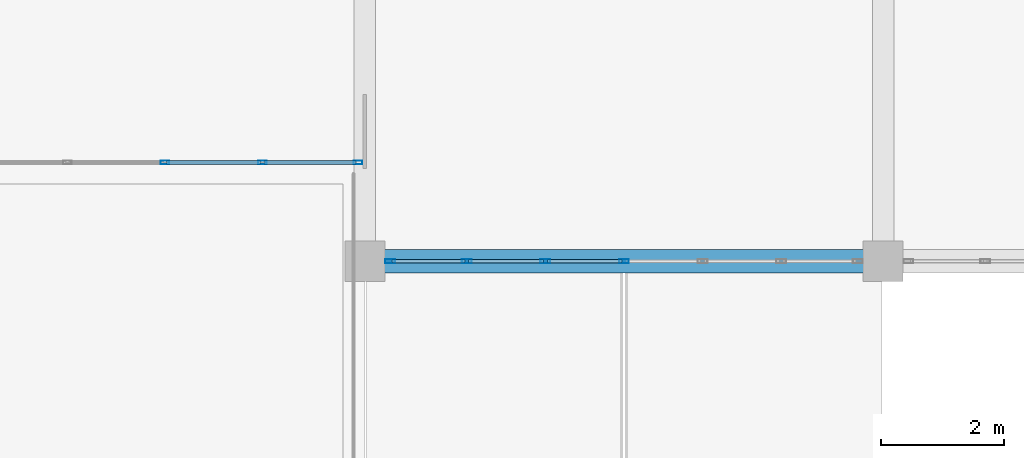
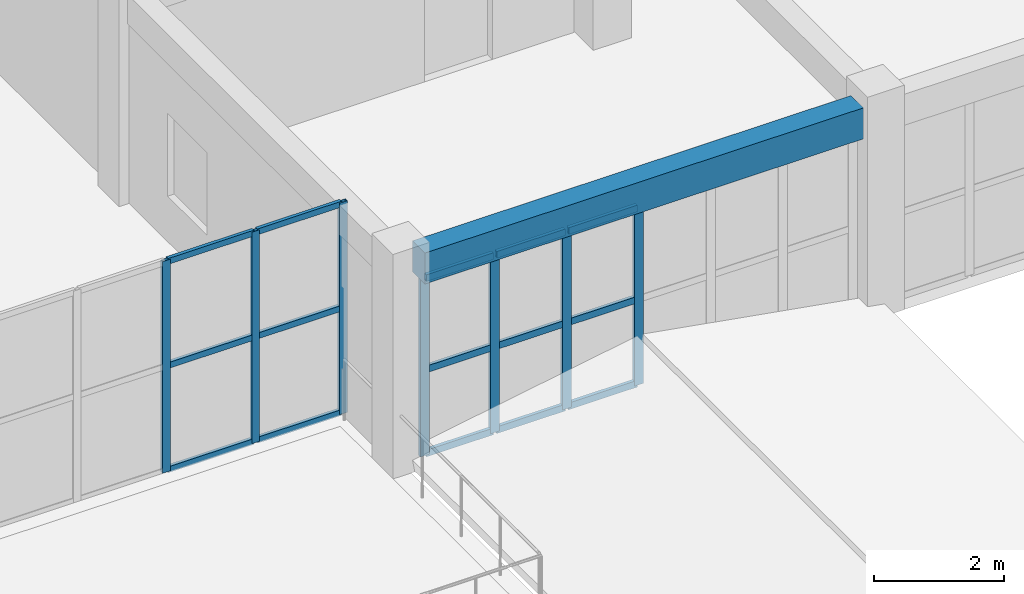
# One storey, part 15 of 90: 22 members, 1 beam, 2 elements without a shape of their own.
"""IFC4 building model written with IfcOpenShell, lengths in metres."""

from ifc_helpers import new_model, si_unit, direction, frame, origin, origin_2d, place, context, subcontext, project, spatial, rectangle, hollow_rectangle, extrude, material, layer, layer_set, material_profile, profile_set, type_object, element, aggregate, save


model = new_model("IFC4")

# Units and contexts
model_context = context("Model", 3, precision=1e-05, world=origin(), true_north=direction((0.0, 1.0)))
body_context = subcontext(model_context, "Body", "Model", "MODEL_VIEW")
ifc_project = project(units=[si_unit("LENGTHUNIT", "METRE"), si_unit("AREAUNIT", "SQUARE_METRE"), si_unit("VOLUMEUNIT", "CUBIC_METRE"), si_unit("PLANEANGLEUNIT", "RADIAN"), si_unit("MASSUNIT", "GRAM", prefix="KILO")], contexts=[model_context])

# Site, building, storey
site_placement = place(None, origin())
site = spatial("IfcSite", under=ifc_project, at=site_placement, CompositionType="ELEMENT")
building_placement = place(site_placement, origin())
building = spatial("IfcBuilding", under=site, at=building_placement, Name="Trelvath General Hospital", CompositionType="ELEMENT")
storey_placement = place(building_placement, frame((0.0, 0.0, 20.39990234375)))
storey = spatial("IfcBuildingStorey", under=building, at=storey_placement, Name="L05", CompositionType="ELEMENT", Elevation=20.39990234375)

# Beam
ifc_material_1 = material(Name="Concrete C35/45", Category="concrete")
ifc_material_profile_1 = material_profile(ifc_material_1, rectangle(XDim=0.3798828125, YDim=0.580078125, at=origin_2d()), Name="RCB380x580")
ifc_profile_set_1 = profile_set([ifc_material_profile_1], Name="Concrete C35/45")
beam_type = type_object("IfcBeamType", Name="Beam RC380x580", PredefinedType="BEAM", material=ifc_profile_set_1)
beam_placement = place(storey_placement, frame((75.919921875, 42.0, 3.630126953125), z_axis=(1.0, 0.0, 0.0), x_axis=(0.0, 1.0, 0.0)))
element("IfcBeam", 1, at=beam_placement, inside=storey, type_object=beam_type, Name="Grid Beam BX-509F", PredefinedType="BEAM", context=body_context, shape_type="SweptSolid", body=[
    extrude(rectangle(XDim=0.3798828125, YDim=0.580078125, at=origin_2d()), origin(), (0.0, 0.0, 1.0), 7.760009765625),
])

# Curtain wall, members
ifc_material_2 = material(Name="Anodised aluminium and low-E glass", Category="aluminium")
ifc_layer_1 = layer(ifc_material_2, 0.14990234375)
ifc_layer_set_1 = layer_set([ifc_layer_1], Name="Anodised aluminium and low-E glass")
curtain_wall_type_1 = type_object("IfcCurtainWallType", Name="CW CrystalCube 790 396 15", PredefinedType="USERDEFINED", material=ifc_layer_set_1)
curtain_wall_1_placement = place(storey_placement, origin())
curtain_wall_1 = element("IfcCurtainWall", 2, at=curtain_wall_1_placement, inside=storey, type_object=curtain_wall_type_1, Name="Crystal Cube Curtain Wall CUBE-W-T2 S2 L05", ObjectType="Unitised Glazed Curtain Wall", PredefinedType="USERDEFINED")
ifc_material_3 = material(Name="Anodised aluminium", Category="aluminium")
ifc_material_profile_2 = material_profile(ifc_material_3, hollow_rectangle(XDim=0.06005859375, YDim=0.139892578125, WallThickness=0.00390625, at=origin_2d()), Name="RHS60x140x4")
ifc_profile_set_2 = profile_set([ifc_material_profile_2], Name="Anodised aluminium")
member_type_1 = type_object("IfcMemberType", Name="CurtainMullion 60x140", PredefinedType="MULLION", material=ifc_profile_set_2)
member_1_placement = place(storey_placement, frame((75.489990234375, 43.60009765625, 0.0), z_axis=(0.0, 0.0, 1.0), x_axis=(0.0, -1.0, 0.0)))
member_1 = element("IfcMember", 3, at=member_1_placement, type_object=member_type_1, Name="CW-307 mullion 1", PredefinedType="MULLION", context=body_context, shape_type="SweptSolid", body=[
    extrude(hollow_rectangle(XDim=0.06005859375, YDim=0.139892578125, WallThickness=0.00390625, at=origin_2d()), origin(), (0.0, 0.0, 1.0), 3.960205078125),
])
member_2_placement = place(storey_placement, frame((73.93994140625, 43.60009765625, 0.0), z_axis=(0.0, 0.0, 1.0), x_axis=(0.0, -1.0, 0.0)))
member_2 = element("IfcMember", 4, at=member_2_placement, type_object=member_type_1, Name="CW-307 mullion 2", PredefinedType="MULLION", context=body_context, shape_type="SweptSolid", body=[
    extrude(hollow_rectangle(XDim=0.06005859375, YDim=0.139892578125, WallThickness=0.00390625, at=origin_2d()), origin(), (0.0, 0.0, 1.0), 3.960205078125),
])
member_3_placement = place(storey_placement, frame((72.360107421875, 43.60009765625, 0.0), z_axis=(0.0, 0.0, 1.0), x_axis=(0.0, -1.0, 0.0)))
member_3 = element("IfcMember", 5, at=member_3_placement, type_object=member_type_1, Name="CW-307 mullion 3", PredefinedType="MULLION", context=body_context, shape_type="SweptSolid", body=[
    extrude(hollow_rectangle(XDim=0.06005859375, YDim=0.139892578125, WallThickness=0.00390625, at=origin_2d()), origin(), (0.0, 0.0, 1.0), 3.960205078125),
])

ifc_material_4 = material(Name="Anodised aluminium and low-E glass", Category="aluminium")
ifc_layer_2 = layer(ifc_material_4, 0.14990234375)
ifc_layer_set_2 = layer_set([ifc_layer_2], Name="Anodised aluminium and low-E glass")
curtain_wall_type_2 = type_object("IfcCurtainWallType", Name="CW Facade 764 334 15", PredefinedType="USERDEFINED", material=ifc_layer_set_2)
curtain_wall_2_placement = place(storey_placement, origin())
curtain_wall_2 = element("IfcCurtainWall", 6, at=curtain_wall_2_placement, inside=storey, type_object=curtain_wall_type_2, Name="Facade Curtain Wall CW-070", ObjectType="Unitised Glazed Curtain Wall", PredefinedType="USERDEFINED")
ifc_material_5 = material(Name="Anodised aluminium", Category="aluminium")
ifc_material_profile_3 = material_profile(ifc_material_5, hollow_rectangle(XDim=0.06005859375, YDim=0.159912109375, WallThickness=0.00390625, at=origin_2d()), Name="RHS60x160x4")
ifc_profile_set_3 = profile_set([ifc_material_profile_3], Name="Anodised aluminium")
member_type_2 = type_object("IfcMemberType", Name="CurtainMullion 60x160", PredefinedType="MULLION", material=ifc_profile_set_3)
member_4_placement = place(storey_placement, frame((79.800048828125, 42.0, 0.0), z_axis=(0.0, 0.0, 1.0), x_axis=(0.0, -1.0, 0.0)))
member_4 = element("IfcMember", 7, at=member_4_placement, type_object=member_type_2, Name="CW-070 mullion 4", PredefinedType="MULLION", context=body_context, shape_type="SweptSolid", body=[
    extrude(hollow_rectangle(XDim=0.06005859375, YDim=0.159912109375, WallThickness=0.00390625, at=origin_2d()), origin(), (0.0, 0.0, 1.0), 3.340087890625),
])
member_5_placement = place(storey_placement, frame((78.526611328125, 42.0, 0.0), z_axis=(0.0, 0.0, 1.0), x_axis=(0.0, -1.0, 0.0)))
member_5 = element("IfcMember", 8, at=member_5_placement, type_object=member_type_2, Name="CW-070 mullion 5", PredefinedType="MULLION", context=body_context, shape_type="SweptSolid", body=[
    extrude(hollow_rectangle(XDim=0.06005859375, YDim=0.159912109375, WallThickness=0.00390625, at=origin_2d()), origin(), (0.0, 0.0, 1.0), 3.340087890625),
])
member_6_placement = place(storey_placement, frame((77.25341796875, 42.0, 0.0), z_axis=(0.0, 0.0, 1.0), x_axis=(0.0, -1.0, 0.0)))
member_6 = element("IfcMember", 9, at=member_6_placement, type_object=member_type_2, Name="CW-070 mullion 6", PredefinedType="MULLION", context=body_context, shape_type="SweptSolid", body=[
    extrude(hollow_rectangle(XDim=0.06005859375, YDim=0.159912109375, WallThickness=0.00390625, at=origin_2d()), origin(), (0.0, 0.0, 1.0), 3.340087890625),
])
member_7_placement = place(storey_placement, frame((76.010009765625, 42.0, 0.0), z_axis=(0.0, 0.0, 1.0), x_axis=(0.0, -1.0, 0.0)))
member_7 = element("IfcMember", 10, at=member_7_placement, type_object=member_type_2, Name="CW-070 mullion 7", PredefinedType="MULLION", context=body_context, shape_type="SweptSolid", body=[
    extrude(hollow_rectangle(XDim=0.06005859375, YDim=0.159912109375, WallThickness=0.00390625, at=origin_2d()), origin(), (0.0, 0.0, 1.0), 3.340087890625),
])

# Member
ifc_material_6 = material(Name="Anodised aluminium", Category="aluminium")
ifc_material_profile_4 = material_profile(ifc_material_6, hollow_rectangle(XDim=0.06005859375, YDim=0.110107421875, WallThickness=0.00390625, at=origin_2d()), Name="RHS60x110x4")
ifc_profile_set_4 = profile_set([ifc_material_profile_4], Name="Anodised aluminium")
member_type_3 = type_object("IfcMemberType", Name="CurtainTransom 60x110", PredefinedType="USERDEFINED", material=ifc_profile_set_4)
member_8_placement = place(storey_placement, frame((75.4599609375, 43.60009765625, 0.030029296875), z_axis=(-1.0, 0.0, 0.0), x_axis=(0.0, -1.0, 0.0)))
member_8 = element("IfcMember", 11, at=member_8_placement, type_object=member_type_3, Name="CW-307 transom 1.1", ObjectType="TRANSOM", PredefinedType="USERDEFINED", context=body_context, shape_type="SweptSolid", body=[
    extrude(hollow_rectangle(XDim=0.06005859375, YDim=0.110107421875, WallThickness=0.00390625, at=origin_2d()), origin(), (0.0, 0.0, 1.0), 1.489990234375),
])

member_9_placement = place(storey_placement, frame((75.4599609375, 43.60009765625, 1.97998046875), z_axis=(-1.0, 0.0, 0.0), x_axis=(0.0, -1.0, 0.0)))
member_9 = element("IfcMember", 12, at=member_9_placement, type_object=member_type_3, Name="CW-307 transom 1.2", ObjectType="TRANSOM", PredefinedType="USERDEFINED", context=body_context, shape_type="SweptSolid", body=[
    extrude(hollow_rectangle(XDim=0.06005859375, YDim=0.110107421875, WallThickness=0.00390625, at=origin_2d()), origin(), (0.0, 0.0, 1.0), 1.489990234375),
])

member_10_placement = place(storey_placement, frame((75.4599609375, 43.60009765625, 3.93017578125), z_axis=(-1.0, 0.0, 0.0), x_axis=(0.0, -1.0, 0.0)))
member_10 = element("IfcMember", 13, at=member_10_placement, type_object=member_type_3, Name="CW-307 transom 1.3", ObjectType="TRANSOM", PredefinedType="USERDEFINED", context=body_context, shape_type="SweptSolid", body=[
    extrude(hollow_rectangle(XDim=0.06005859375, YDim=0.110107421875, WallThickness=0.00390625, at=origin_2d()), origin(), (0.0, 0.0, 1.0), 1.489990234375),
])

member_11_placement = place(storey_placement, frame((73.909912109375, 43.60009765625, 0.030029296875), z_axis=(-1.0, 0.0, 0.0), x_axis=(0.0, -1.0, 0.0)))
member_11 = element("IfcMember", 14, at=member_11_placement, type_object=member_type_3, Name="CW-307 transom 2.1", ObjectType="TRANSOM", PredefinedType="USERDEFINED", context=body_context, shape_type="SweptSolid", body=[
    extrude(hollow_rectangle(XDim=0.06005859375, YDim=0.110107421875, WallThickness=0.00390625, at=origin_2d()), origin(), (0.0, 0.0, 1.0), 1.52001953125),
])

member_12_placement = place(storey_placement, frame((73.909912109375, 43.60009765625, 1.97998046875), z_axis=(-1.0, 0.0, 0.0), x_axis=(0.0, -1.0, 0.0)))
member_12 = element("IfcMember", 15, at=member_12_placement, type_object=member_type_3, Name="CW-307 transom 2.2", ObjectType="TRANSOM", PredefinedType="USERDEFINED", context=body_context, shape_type="SweptSolid", body=[
    extrude(hollow_rectangle(XDim=0.06005859375, YDim=0.110107421875, WallThickness=0.00390625, at=origin_2d()), origin(), (0.0, 0.0, 1.0), 1.52001953125),
])

member_13_placement = place(storey_placement, frame((73.909912109375, 43.60009765625, 3.93017578125), z_axis=(-1.0, 0.0, 0.0), x_axis=(0.0, -1.0, 0.0)))
member_13 = element("IfcMember", 16, at=member_13_placement, type_object=member_type_3, Name="CW-307 transom 2.3", ObjectType="TRANSOM", PredefinedType="USERDEFINED", context=body_context, shape_type="SweptSolid", body=[
    extrude(hollow_rectangle(XDim=0.06005859375, YDim=0.110107421875, WallThickness=0.00390625, at=origin_2d()), origin(), (0.0, 0.0, 1.0), 1.52001953125),
])

aggregate(curtain_wall_1, [member_1, member_2, member_3, member_8, member_9, member_10, member_11, member_12, member_13])

ifc_material_7 = material(Name="Anodised aluminium", Category="aluminium")
ifc_material_profile_5 = material_profile(ifc_material_7, hollow_rectangle(XDim=0.06005859375, YDim=0.125, WallThickness=0.00390625, at=origin_2d()), Name="RHS60x125x4")
ifc_profile_set_5 = profile_set([ifc_material_profile_5], Name="Anodised aluminium")
member_type_4 = type_object("IfcMemberType", Name="CurtainTransom 60x125", PredefinedType="USERDEFINED", material=ifc_profile_set_5)
member_14_placement = place(storey_placement, frame((79.77001953125, 42.0, 0.030029296875), z_axis=(-1.0, 0.0, 0.0), x_axis=(0.0, -1.0, 0.0)))
member_14 = element("IfcMember", 17, at=member_14_placement, type_object=member_type_4, Name="CW-070 transom 4.1", ObjectType="TRANSOM", PredefinedType="USERDEFINED", context=body_context, shape_type="SweptSolid", body=[
    extrude(hollow_rectangle(XDim=0.06005859375, YDim=0.125, WallThickness=0.00390625, at=origin_2d()), origin(), (0.0, 0.0, 1.0), 1.21337890625),
])

member_15_placement = place(storey_placement, frame((79.77001953125, 42.0, 1.60302734375), z_axis=(-1.0, 0.0, 0.0), x_axis=(0.0, -1.0, 0.0)))
member_15 = element("IfcMember", 18, at=member_15_placement, type_object=member_type_4, Name="CW-070 transom 4.2", ObjectType="TRANSOM", PredefinedType="USERDEFINED", context=body_context, shape_type="SweptSolid", body=[
    extrude(hollow_rectangle(XDim=0.06005859375, YDim=0.125, WallThickness=0.00390625, at=origin_2d()), origin(), (0.0, 0.0, 1.0), 1.21337890625),
])

member_16_placement = place(storey_placement, frame((79.77001953125, 42.0, 3.31005859375), z_axis=(-1.0, 0.0, 0.0), x_axis=(0.0, -1.0, 0.0)))
member_16 = element("IfcMember", 19, at=member_16_placement, type_object=member_type_4, Name="CW-070 transom 4.3", ObjectType="TRANSOM", PredefinedType="USERDEFINED", context=body_context, shape_type="SweptSolid", body=[
    extrude(hollow_rectangle(XDim=0.06005859375, YDim=0.125, WallThickness=0.00390625, at=origin_2d()), origin(), (0.0, 0.0, 1.0), 1.21337890625),
])

member_17_placement = place(storey_placement, frame((78.49658203125, 42.0, 0.030029296875), z_axis=(-1.0, 0.0, 0.0), x_axis=(0.0, -1.0, 0.0)))
member_17 = element("IfcMember", 20, at=member_17_placement, type_object=member_type_4, Name="CW-070 transom 5.1", ObjectType="TRANSOM", PredefinedType="USERDEFINED", context=body_context, shape_type="SweptSolid", body=[
    extrude(hollow_rectangle(XDim=0.06005859375, YDim=0.125, WallThickness=0.00390625, at=origin_2d()), origin(), (0.0, 0.0, 1.0), 1.213134765625),
])

member_18_placement = place(storey_placement, frame((78.49658203125, 42.0, 1.60302734375), z_axis=(-1.0, 0.0, 0.0), x_axis=(0.0, -1.0, 0.0)))
member_18 = element("IfcMember", 21, at=member_18_placement, type_object=member_type_4, Name="CW-070 transom 5.2", ObjectType="TRANSOM", PredefinedType="USERDEFINED", context=body_context, shape_type="SweptSolid", body=[
    extrude(hollow_rectangle(XDim=0.06005859375, YDim=0.125, WallThickness=0.00390625, at=origin_2d()), origin(), (0.0, 0.0, 1.0), 1.213134765625),
])

member_19_placement = place(storey_placement, frame((78.49658203125, 42.0, 3.31005859375), z_axis=(-1.0, 0.0, 0.0), x_axis=(0.0, -1.0, 0.0)))
member_19 = element("IfcMember", 22, at=member_19_placement, type_object=member_type_4, Name="CW-070 transom 5.3", ObjectType="TRANSOM", PredefinedType="USERDEFINED", context=body_context, shape_type="SweptSolid", body=[
    extrude(hollow_rectangle(XDim=0.06005859375, YDim=0.125, WallThickness=0.00390625, at=origin_2d()), origin(), (0.0, 0.0, 1.0), 1.213134765625),
])

member_20_placement = place(storey_placement, frame((77.223388671875, 42.0, 0.030029296875), z_axis=(-1.0, 0.0, 0.0), x_axis=(0.0, -1.0, 0.0)))
member_20 = element("IfcMember", 23, at=member_20_placement, type_object=member_type_4, Name="CW-070 transom 6.1", ObjectType="TRANSOM", PredefinedType="USERDEFINED", context=body_context, shape_type="SweptSolid", body=[
    extrude(hollow_rectangle(XDim=0.06005859375, YDim=0.125, WallThickness=0.00390625, at=origin_2d()), origin(), (0.0, 0.0, 1.0), 1.183349609375),
])

member_21_placement = place(storey_placement, frame((77.223388671875, 42.0, 1.60302734375), z_axis=(-1.0, 0.0, 0.0), x_axis=(0.0, -1.0, 0.0)))
member_21 = element("IfcMember", 24, at=member_21_placement, type_object=member_type_4, Name="CW-070 transom 6.2", ObjectType="TRANSOM", PredefinedType="USERDEFINED", context=body_context, shape_type="SweptSolid", body=[
    extrude(hollow_rectangle(XDim=0.06005859375, YDim=0.125, WallThickness=0.00390625, at=origin_2d()), origin(), (0.0, 0.0, 1.0), 1.183349609375),
])

member_22_placement = place(storey_placement, frame((77.223388671875, 42.0, 3.31005859375), z_axis=(-1.0, 0.0, 0.0), x_axis=(0.0, -1.0, 0.0)))
member_22 = element("IfcMember", 25, at=member_22_placement, type_object=member_type_4, Name="CW-070 transom 6.3", ObjectType="TRANSOM", PredefinedType="USERDEFINED", context=body_context, shape_type="SweptSolid", body=[
    extrude(hollow_rectangle(XDim=0.06005859375, YDim=0.125, WallThickness=0.00390625, at=origin_2d()), origin(), (0.0, 0.0, 1.0), 1.183349609375),
])

aggregate(curtain_wall_2, [member_4, member_5, member_6, member_7, member_14, member_15, member_16, member_17, member_18, member_19, member_20, member_21, member_22])

save(model, "model.ifc")
